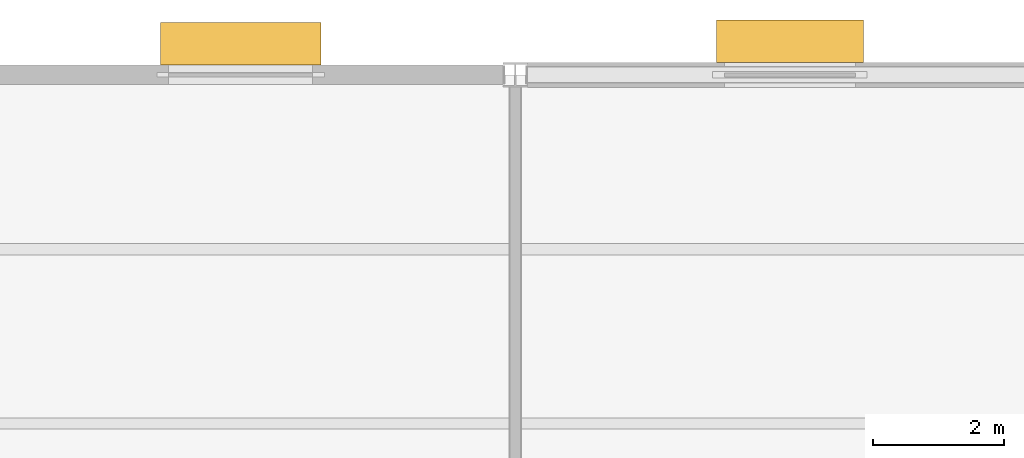
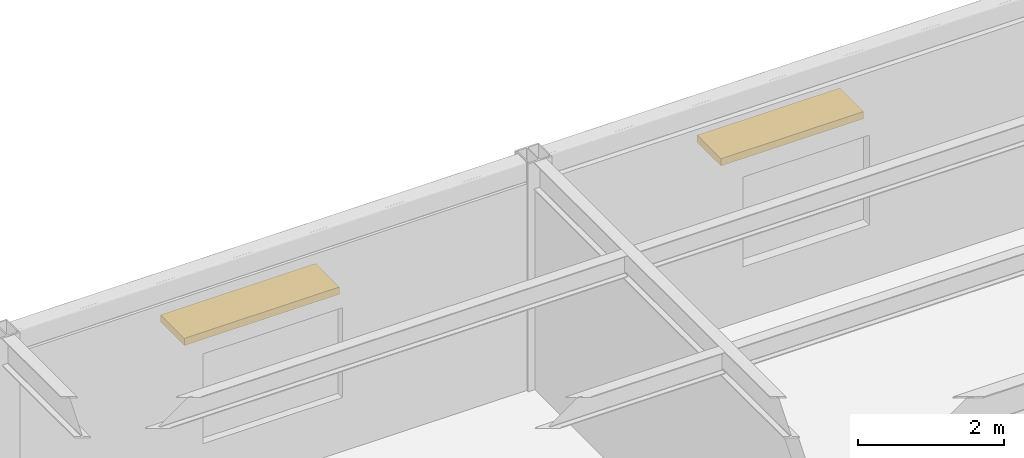
# One storey, part 138 of 138: 2 shading devices.
"""IFC4 building model written with IfcOpenShell, lengths in metres."""

from ifc_helpers import new_model, si_unit, direction, frame, origin, origin_2d, place, context, subcontext, project, spatial, rectangle, extrude, material, type_object, element, save


model = new_model("IFC4")

# Units and contexts
model_context = context("Model", 3, precision=1e-05, world=origin(), true_north=direction((0.0, 1.0)))
body_context = subcontext(model_context, "Body", "Model", "MODEL_VIEW")
ifc_project = project(units=[si_unit("LENGTHUNIT", "METRE"), si_unit("AREAUNIT", "SQUARE_METRE"), si_unit("VOLUMEUNIT", "CUBIC_METRE"), si_unit("PLANEANGLEUNIT", "RADIAN"), si_unit("MASSUNIT", "GRAM", prefix="KILO")], contexts=[model_context])

# Site, building, storey
site_placement = place(None, origin())
site = spatial("IfcSite", under=ifc_project, at=site_placement, CompositionType="ELEMENT")
building_placement = place(site_placement, origin())
building = spatial("IfcBuilding", under=site, at=building_placement, Name="Kranzveld Transit Interchange", CompositionType="ELEMENT")
storey_placement = place(building_placement, frame((0.0, 0.0, 5.43994140625)))
storey = spatial("IfcBuildingStorey", under=building, at=storey_placement, Name="L01", CompositionType="ELEMENT", Elevation=5.43994140625)

# Shading devices
ifc_material = material(Name="Bronze-anodised thermally broken aluminium", Category="aluminium")
shading_device_type = type_object("IfcShadingDeviceType", Name="North Overhang Solar Louvre Brise-Soleil", PredefinedType="JALOUSIE", material=ifc_material)
shading_device_1_placement = place(storey_placement, frame((130.199951171875, 112.47509765625, 2.39990234375), z_axis=(0.0, 0.0, 1.0), x_axis=(1.0, 0.0, 0.0)))
element("IfcShadingDevice", 1, at=shading_device_1_placement, inside=storey, type_object=shading_device_type, Name="L01 North Solar Louvre 16/Q", PredefinedType="JALOUSIE", context=body_context, shape_type="SweptSolid", body=[
    extrude(rectangle(XDim=2.449951171875, YDim=0.64990234375, at=origin_2d()), origin(), (0.0, 0.0, 1.0), 0.1201171875),
])
shading_device_2_placement = place(storey_placement, frame((138.60009765625, 112.514892578125, 2.39990234375), z_axis=(0.0, 0.0, 1.0), x_axis=(1.0, 0.0, 0.0)))
element("IfcShadingDevice", 2, at=shading_device_2_placement, inside=storey, type_object=shading_device_type, Name="L01 North Solar Louvre 17/Q", PredefinedType="JALOUSIE", context=body_context, shape_type="SweptSolid", body=[
    extrude(rectangle(XDim=2.25, YDim=0.64990234375, at=origin_2d()), origin(), (0.0, 0.0, 1.0), 0.1201171875),
])

save(model, "model.ifc")
